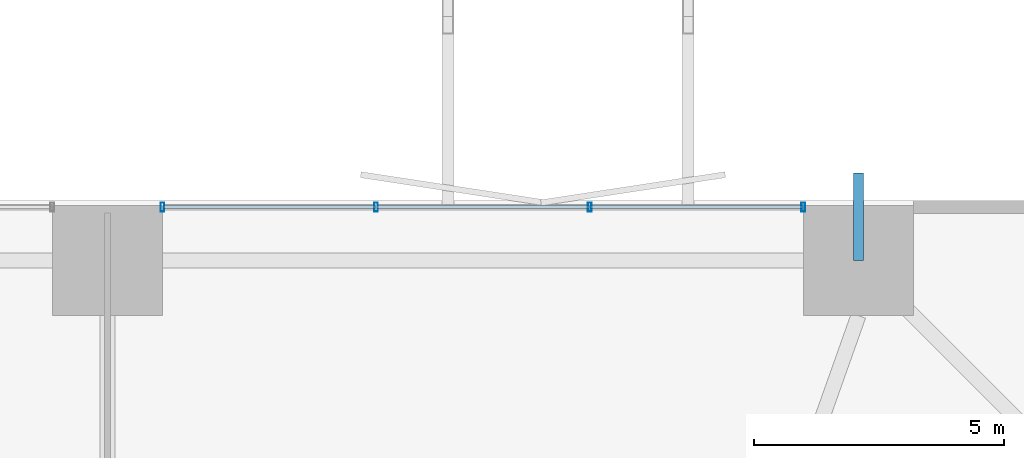
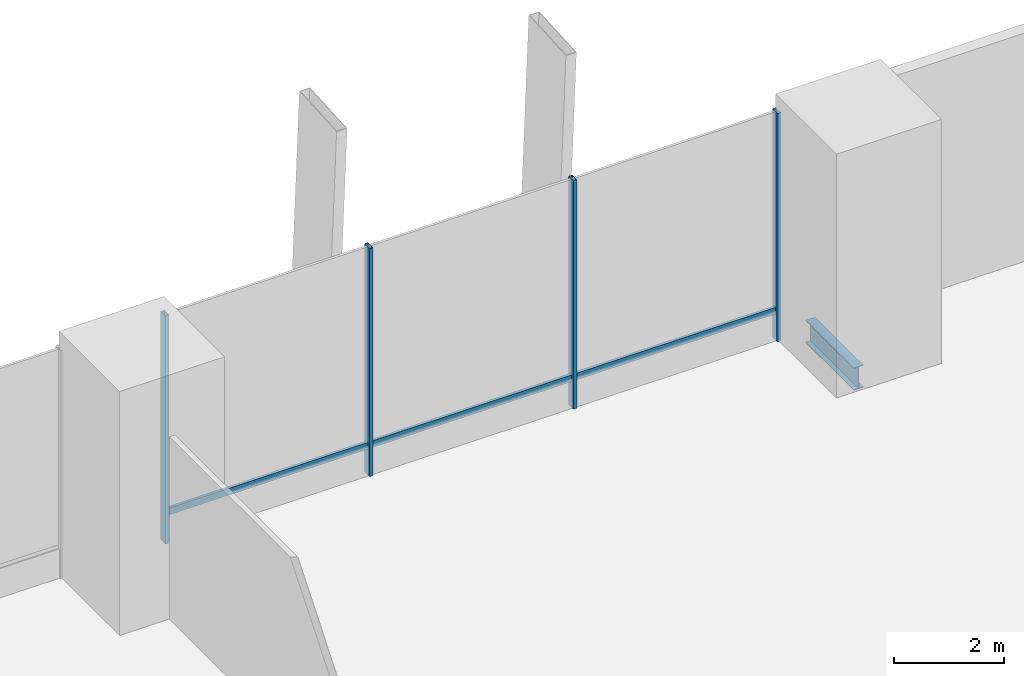
# One storey, part 17 of 24: 7 members, 1 beam, 1 element without a shape of its own.
"""IFC4 building model written with IfcOpenShell, lengths in metres."""

from ifc_helpers import new_model, si_unit, direction, frame, origin, origin_2d, place, context, subcontext, project, spatial, hollow_rectangle, i_section, extrude, material, layer, layer_set, material_profile, profile_set, type_object, element, aggregate, save


model = new_model("IFC4")

# Units and contexts
model_context = context("Model", 3, precision=1e-05, world=origin(), true_north=direction((0.0, 1.0)))
body_context = subcontext(model_context, "Body", "Model", "MODEL_VIEW")
ifc_project = project(units=[si_unit("LENGTHUNIT", "METRE"), si_unit("AREAUNIT", "SQUARE_METRE"), si_unit("VOLUMEUNIT", "CUBIC_METRE"), si_unit("PLANEANGLEUNIT", "RADIAN"), si_unit("MASSUNIT", "GRAM", prefix="KILO")], contexts=[model_context])

# Site, building, storey
site_placement = place(None, origin())
site = spatial("IfcSite", under=ifc_project, at=site_placement, CompositionType="ELEMENT")
building_placement = place(site_placement, origin())
building = spatial("IfcBuilding", under=site, at=building_placement, Name="Belovzor Exchange Tower", CompositionType="ELEMENT")
storey_placement = place(building_placement, frame((0.0, 0.0, 13.800048828125)))
storey = spatial("IfcBuildingStorey", under=building, at=storey_placement, Name="L03", CompositionType="ELEMENT", Elevation=13.800048828125)

# Beam
ifc_material_1 = material(Name="Steel S355", Category="steel")
ifc_material_profile_1 = material_profile(ifc_material_1, i_section(OverallWidth=0.199951171875, OverallDepth=0.5, WebThickness=0.01025390625, FlangeThickness=0.01611328125, at=origin_2d()))
ifc_profile_set_1 = profile_set([ifc_material_profile_1], Name="Steel S355")
beam_type = type_object("IfcBeamType", Name="Planted Balcony Cantilever Beam IPE 500", PredefinedType="BEAM", material=ifc_profile_set_1)
beam_placement = place(storey_placement, frame((43.800048828125, 55.800048828125, -0.60009765625), z_axis=(0.0, 1.0, 0.0), x_axis=(-1.0, 0.0, 0.0)))
element("IfcBeam", 1, at=beam_placement, inside=storey, type_object=beam_type, Name="BC-500 Planted Balcony Cantilever Beam IPE 500", PredefinedType="BEAM", context=body_context, shape_type="SweptSolid", body=[
    extrude(i_section(OverallWidth=0.199951171875, OverallDepth=0.5, WebThickness=0.01025390625, FlangeThickness=0.01611328125, at=origin_2d()), origin(), (0.0, 0.0, 1.0), 1.75),
])

# Curtain wall, members
ifc_material_2 = material(Name="Anodised Aluminium Framing", Category="aluminium")
ifc_layer = layer(ifc_material_2, 0.219970703125)
ifc_layer_set = layer_set([ifc_layer], Name="Anodised Aluminium Framing")
curtain_wall_type = type_object("IfcCurtainWallType", Name="Podium Clear-Span Exchange Hall Unitised Curtain Wall", PredefinedType="NOTDEFINED", material=ifc_layer_set)
curtain_wall_placement = place(storey_placement, origin())
curtain_wall = element("IfcCurtainWall", 2, at=curtain_wall_placement, inside=storey, type_object=curtain_wall_type, Name="CW1 Podium Clear-Span Exchange Hall Unitised Curtain Wall L03", PredefinedType="NOTDEFINED")
ifc_material_3 = material(Name="Steel S355", Category="steel")
ifc_material_profile_2 = material_profile(ifc_material_3, hollow_rectangle(XDim=0.074951171875, YDim=0.179931640625, WallThickness=0.0048828125, at=origin_2d()))
ifc_profile_set_2 = profile_set([ifc_material_profile_2], Name="Steel S355")
member_type_1 = type_object("IfcMemberType", Name="Thermally Broken Curtain Wall Mullion 180x75", PredefinedType="MULLION", material=ifc_profile_set_2)
member_1_placement = place(storey_placement, frame((29.89990234375, 56.8701171875, 0.0), z_axis=(0.0, 0.0, 1.0), x_axis=(1.0, 0.0, 0.0)))
member_1 = element("IfcMember", 3, at=member_1_placement, type_object=member_type_1, Name="CW-M180 Curtain Wall Mullion 1", PredefinedType="MULLION", context=body_context, shape_type="SweptSolid", body=[
    extrude(hollow_rectangle(XDim=0.074951171875, YDim=0.179931640625, WallThickness=0.0048828125, at=origin_2d()), origin(), (0.0, 0.0, 1.0), 5.050048828125),
])
member_2_placement = place(storey_placement, frame((34.1669921875, 56.8701171875, 0.0), z_axis=(0.0, 0.0, 1.0), x_axis=(1.0, 0.0, 0.0)))
member_2 = element("IfcMember", 4, at=member_2_placement, type_object=member_type_1, Name="CW-M180 Curtain Wall Mullion 2", PredefinedType="MULLION", context=body_context, shape_type="SweptSolid", body=[
    extrude(hollow_rectangle(XDim=0.074951171875, YDim=0.179931640625, WallThickness=0.0048828125, at=origin_2d()), origin(), (0.0, 0.0, 1.0), 5.050048828125),
])
member_3_placement = place(storey_placement, frame((38.43310546875, 56.8701171875, 0.0), z_axis=(0.0, 0.0, 1.0), x_axis=(1.0, 0.0, 0.0)))
member_3 = element("IfcMember", 5, at=member_3_placement, type_object=member_type_1, Name="CW-M180 Curtain Wall Mullion 3", PredefinedType="MULLION", context=body_context, shape_type="SweptSolid", body=[
    extrude(hollow_rectangle(XDim=0.074951171875, YDim=0.179931640625, WallThickness=0.0048828125, at=origin_2d()), origin(), (0.0, 0.0, 1.0), 5.050048828125),
])
member_4_placement = place(storey_placement, frame((42.699951171875, 56.8701171875, 0.0), z_axis=(0.0, 0.0, 1.0), x_axis=(1.0, 0.0, 0.0)))
member_4 = element("IfcMember", 6, at=member_4_placement, type_object=member_type_1, Name="CW-M180 Curtain Wall Mullion 4", PredefinedType="MULLION", context=body_context, shape_type="SweptSolid", body=[
    extrude(hollow_rectangle(XDim=0.074951171875, YDim=0.179931640625, WallThickness=0.0048828125, at=origin_2d()), origin(), (0.0, 0.0, 1.0), 5.050048828125),
])
ifc_material_4 = material(Name="Steel S355", Category="steel")
ifc_material_profile_3 = material_profile(ifc_material_4, hollow_rectangle(XDim=0.06005859375, YDim=0.14990234375, WallThickness=0.00390625, at=origin_2d()))
ifc_profile_set_3 = profile_set([ifc_material_profile_3], Name="Steel S355")
member_type_2 = type_object("IfcMemberType", Name="Thermally Broken Curtain Wall Transom 150x60", PredefinedType="USERDEFINED", material=ifc_profile_set_3)
member_5_placement = place(storey_placement, frame((29.907958984375, 56.8701171875, 0.64990234375), z_axis=(1.0, 0.0, 0.0), x_axis=(0.0, 1.0, 0.0)))
member_5 = element("IfcMember", 7, at=member_5_placement, type_object=member_type_2, Name="CW-T150 Curtain Wall Transom 1", ObjectType="TRANSOM", PredefinedType="USERDEFINED", context=body_context, shape_type="SweptSolid", body=[
    extrude(hollow_rectangle(XDim=0.06005859375, YDim=0.14990234375, WallThickness=0.00390625, at=origin_2d()), origin(), (0.0, 0.0, 1.0), 4.2509765625),
])
member_6_placement = place(storey_placement, frame((34.175048828125, 56.8701171875, 0.64990234375), z_axis=(1.0, 0.0, 0.0), x_axis=(0.0, 1.0, 0.0)))
member_6 = element("IfcMember", 8, at=member_6_placement, type_object=member_type_2, Name="CW-T150 Curtain Wall Transom 2", ObjectType="TRANSOM", PredefinedType="USERDEFINED", context=body_context, shape_type="SweptSolid", body=[
    extrude(hollow_rectangle(XDim=0.06005859375, YDim=0.14990234375, WallThickness=0.00390625, at=origin_2d()), origin(), (0.0, 0.0, 1.0), 4.25),
])
member_7_placement = place(storey_placement, frame((38.44091796875, 56.8701171875, 0.64990234375), z_axis=(1.0, 0.0, 0.0), x_axis=(0.0, 1.0, 0.0)))
member_7 = element("IfcMember", 9, at=member_7_placement, type_object=member_type_2, Name="CW-T150 Curtain Wall Transom 3", ObjectType="TRANSOM", PredefinedType="USERDEFINED", context=body_context, shape_type="SweptSolid", body=[
    extrude(hollow_rectangle(XDim=0.06005859375, YDim=0.14990234375, WallThickness=0.00390625, at=origin_2d()), origin(), (0.0, 0.0, 1.0), 4.2509765625),
])
aggregate(curtain_wall, [member_1, member_2, member_3, member_4, member_5, member_6, member_7])

save(model, "model.ifc")
